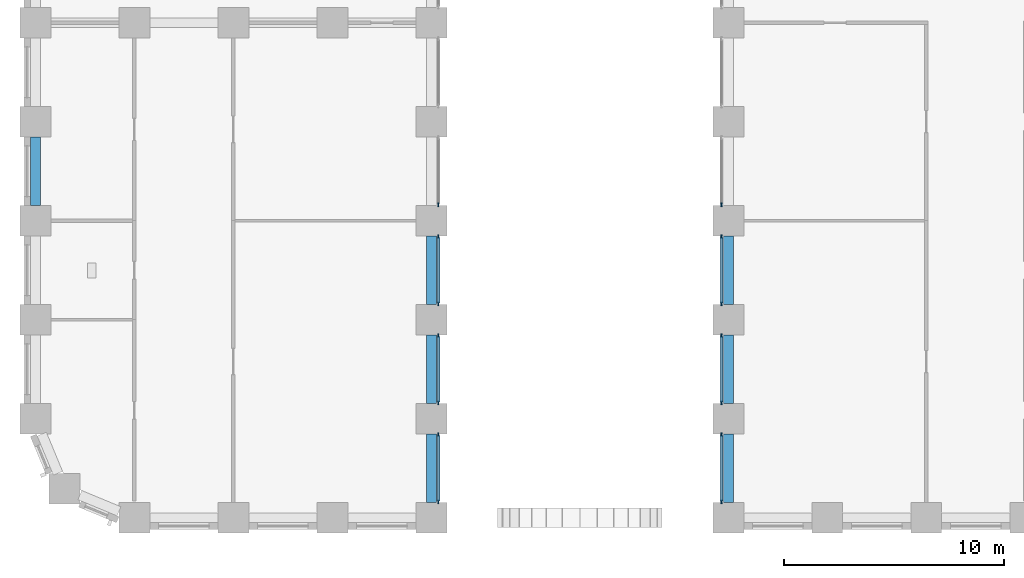
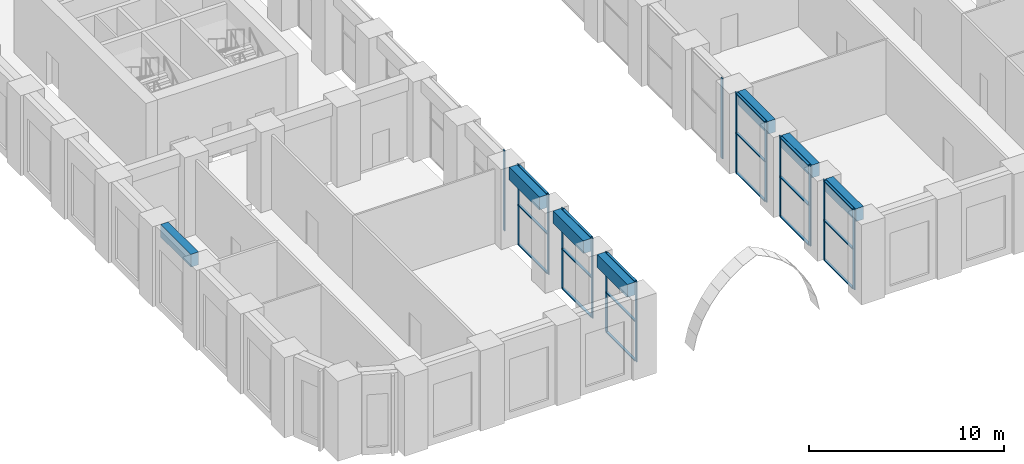
# One storey, part 2 of 24: 32 members, 7 beams, 8 elements without a shape of their own.
"""IFC4 building model written with IfcOpenShell, lengths in metres."""

from ifc_helpers import new_model, si_unit, direction, frame, origin, origin_2d, place, context, subcontext, project, spatial, rectangle, extrude, material, material_profile, profile_set, type_object, element, aggregate, save


model = new_model("IFC4")

# Units and contexts
model_context = context("Model", 3, precision=1e-05, world=origin(), true_north=direction((0.0, 1.0)))
body_context = subcontext(model_context, "Body", "Model", "MODEL_VIEW")
ifc_project = project(units=[si_unit("LENGTHUNIT", "METRE"), si_unit("AREAUNIT", "SQUARE_METRE"), si_unit("VOLUMEUNIT", "CUBIC_METRE"), si_unit("PLANEANGLEUNIT", "RADIAN"), si_unit("MASSUNIT", "GRAM", prefix="KILO")], contexts=[model_context])

# Site, building, storey
site_placement = place(None, origin())
site = spatial("IfcSite", under=ifc_project, at=site_placement, CompositionType="ELEMENT")
building_placement = place(site_placement, origin())
building = spatial("IfcBuilding", under=site, at=building_placement, Name="Girih Gate Residences", CompositionType="ELEMENT")
storey_placement = place(building_placement, frame((0.0, 0.0, 11.0)))
storey = spatial("IfcBuildingStorey", under=building, at=storey_placement, Name="L02", CompositionType="ELEMENT", Elevation=11.0)

# Curtain wall, members
ifc_material_1 = material(Name="Aluminium curtain wall frame", Category="aluminium")
curtain_wall_type = type_object("IfcCurtainWallType", Name="Curtain wall CW-2 podium amenity glazing", PredefinedType="NOTDEFINED", material=ifc_material_1)
curtain_wall_1_placement = place(storey_placement, origin())
curtain_wall_1 = element("IfcCurtainWall", 1, at=curtain_wall_1_placement, inside=storey, type_object=curtain_wall_type, Name="CW-2 Podium amenity glazing E0180_0000.0", PredefinedType="NOTDEFINED")
ifc_material_profile_1 = material_profile(ifc_material_1, rectangle(XDim=0.06005859375, YDim=0.179931640625, at=origin_2d()))
ifc_profile_set_1 = profile_set([ifc_material_profile_1], Name="Aluminium curtain wall frame")
member_type_1 = type_object("IfcMemberType", Name="Curtain wall mullion 60x180", PredefinedType="MULLION", material=ifc_profile_set_1)
member_1_placement = place(storey_placement, frame((18.31494140625, 0.72998046875, 0.0), z_axis=(0.0, 0.0, 1.0), x_axis=(-1.0, 0.0, 0.0)))
member_1 = element("IfcMember", 2, at=member_1_placement, type_object=member_type_1, Name="CW-2 mullion 1", PredefinedType="MULLION", context=body_context, shape_type="SweptSolid", body=[
    extrude(rectangle(XDim=0.06005859375, YDim=0.179931640625, at=origin_2d()), origin(), (0.0, 0.0, 1.0), 5.0),
])
member_2_placement = place(storey_placement, frame((18.31494140625, 3.77001953125, 0.0), z_axis=(0.0, 0.0, 1.0), x_axis=(-1.0, 0.0, 0.0)))
member_2 = element("IfcMember", 3, at=member_2_placement, type_object=member_type_1, Name="CW-2 mullion 2", PredefinedType="MULLION", context=body_context, shape_type="SweptSolid", body=[
    extrude(rectangle(XDim=0.06005859375, YDim=0.179931640625, at=origin_2d()), origin(), (0.0, 0.0, 1.0), 5.0),
])

curtain_wall_2_placement = place(storey_placement, origin())
curtain_wall_2 = element("IfcCurtainWall", 4, at=curtain_wall_2_placement, inside=storey, type_object=curtain_wall_type, Name="CW-2 Podium amenity glazing E0180_0000.1", PredefinedType="NOTDEFINED")
member_3_placement = place(storey_placement, frame((18.31494140625, 5.22998046875, 0.0), z_axis=(0.0, 0.0, 1.0), x_axis=(-1.0, 0.0, 0.0)))
member_3 = element("IfcMember", 5, at=member_3_placement, type_object=member_type_1, Name="CW-2 mullion 1", PredefinedType="MULLION", context=body_context, shape_type="SweptSolid", body=[
    extrude(rectangle(XDim=0.06005859375, YDim=0.179931640625, at=origin_2d()), origin(), (0.0, 0.0, 1.0), 5.0),
])
member_4_placement = place(storey_placement, frame((18.31494140625, 8.27001953125, 0.0), z_axis=(0.0, 0.0, 1.0), x_axis=(-1.0, 0.0, 0.0)))
member_4 = element("IfcMember", 6, at=member_4_placement, type_object=member_type_1, Name="CW-2 mullion 2", PredefinedType="MULLION", context=body_context, shape_type="SweptSolid", body=[
    extrude(rectangle(XDim=0.06005859375, YDim=0.179931640625, at=origin_2d()), origin(), (0.0, 0.0, 1.0), 5.0),
])

curtain_wall_3_placement = place(storey_placement, origin())
curtain_wall_3 = element("IfcCurtainWall", 7, at=curtain_wall_3_placement, inside=storey, type_object=curtain_wall_type, Name="CW-2 Podium amenity glazing E0180_0000.2", PredefinedType="NOTDEFINED")
member_5_placement = place(storey_placement, frame((18.31494140625, 9.72998046875, 0.0), z_axis=(0.0, 0.0, 1.0), x_axis=(-1.0, 0.0, 0.0)))
member_5 = element("IfcMember", 8, at=member_5_placement, type_object=member_type_1, Name="CW-2 mullion 1", PredefinedType="MULLION", context=body_context, shape_type="SweptSolid", body=[
    extrude(rectangle(XDim=0.06005859375, YDim=0.179931640625, at=origin_2d()), origin(), (0.0, 0.0, 1.0), 5.0),
])
member_6_placement = place(storey_placement, frame((18.31494140625, 12.77001953125, 0.0), z_axis=(0.0, 0.0, 1.0), x_axis=(-1.0, 0.0, 0.0)))
member_6 = element("IfcMember", 9, at=member_6_placement, type_object=member_type_1, Name="CW-2 mullion 2", PredefinedType="MULLION", context=body_context, shape_type="SweptSolid", body=[
    extrude(rectangle(XDim=0.06005859375, YDim=0.179931640625, at=origin_2d()), origin(), (0.0, 0.0, 1.0), 5.0),
])

# Curtain wall, member
curtain_wall_4_placement = place(storey_placement, origin())
curtain_wall_4 = element("IfcCurtainWall", 10, at=curtain_wall_4_placement, inside=storey, type_object=curtain_wall_type, Name="CW-2 Podium amenity glazing E0180_0000.3", PredefinedType="NOTDEFINED")
member_7_placement = place(storey_placement, frame((18.31494140625, 14.22998046875, 0.0), z_axis=(0.0, 0.0, 1.0), x_axis=(-1.0, 0.0, 0.0)))
member_7 = element("IfcMember", 11, at=member_7_placement, type_object=member_type_1, Name="CW-2 mullion 1", PredefinedType="MULLION", context=body_context, shape_type="SweptSolid", body=[
    extrude(rectangle(XDim=0.06005859375, YDim=0.179931640625, at=origin_2d()), origin(), (0.0, 0.0, 1.0), 5.0),
])
aggregate(curtain_wall_4, [member_7])

curtain_wall_5_placement = place(storey_placement, origin())
curtain_wall_5 = element("IfcCurtainWall", 12, at=curtain_wall_5_placement, inside=storey, type_object=curtain_wall_type, Name="CW-2 Podium amenity glazing W0315_0495.7", PredefinedType="NOTDEFINED")
member_8_placement = place(storey_placement, frame((31.18505859375, 14.22998046875, 0.0), z_axis=(0.0, 0.0, 1.0), x_axis=(1.0, 0.0, 0.0)))
member_8 = element("IfcMember", 13, at=member_8_placement, type_object=member_type_1, Name="CW-2 mullion 2", PredefinedType="MULLION", context=body_context, shape_type="SweptSolid", body=[
    extrude(rectangle(XDim=0.06005859375, YDim=0.179931640625, at=origin_2d()), origin(), (0.0, 0.0, 1.0), 5.0),
])
aggregate(curtain_wall_5, [member_8])

# Curtain wall, members
curtain_wall_6_placement = place(storey_placement, origin())
curtain_wall_6 = element("IfcCurtainWall", 14, at=curtain_wall_6_placement, inside=storey, type_object=curtain_wall_type, Name="CW-2 Podium amenity glazing W0315_0495.8", PredefinedType="NOTDEFINED")
member_9_placement = place(storey_placement, frame((31.18505859375, 12.77001953125, 0.0), z_axis=(0.0, 0.0, 1.0), x_axis=(1.0, 0.0, 0.0)))
member_9 = element("IfcMember", 15, at=member_9_placement, type_object=member_type_1, Name="CW-2 mullion 1", PredefinedType="MULLION", context=body_context, shape_type="SweptSolid", body=[
    extrude(rectangle(XDim=0.06005859375, YDim=0.179931640625, at=origin_2d()), origin(), (0.0, 0.0, 1.0), 5.0),
])
member_10_placement = place(storey_placement, frame((31.18505859375, 9.72998046875, 0.0), z_axis=(0.0, 0.0, 1.0), x_axis=(1.0, 0.0, 0.0)))
member_10 = element("IfcMember", 16, at=member_10_placement, type_object=member_type_1, Name="CW-2 mullion 2", PredefinedType="MULLION", context=body_context, shape_type="SweptSolid", body=[
    extrude(rectangle(XDim=0.06005859375, YDim=0.179931640625, at=origin_2d()), origin(), (0.0, 0.0, 1.0), 5.0),
])

curtain_wall_7_placement = place(storey_placement, origin())
curtain_wall_7 = element("IfcCurtainWall", 17, at=curtain_wall_7_placement, inside=storey, type_object=curtain_wall_type, Name="CW-2 Podium amenity glazing W0315_0495.9", PredefinedType="NOTDEFINED")
member_11_placement = place(storey_placement, frame((31.18505859375, 8.27001953125, 0.0), z_axis=(0.0, 0.0, 1.0), x_axis=(1.0, 0.0, 0.0)))
member_11 = element("IfcMember", 18, at=member_11_placement, type_object=member_type_1, Name="CW-2 mullion 1", PredefinedType="MULLION", context=body_context, shape_type="SweptSolid", body=[
    extrude(rectangle(XDim=0.06005859375, YDim=0.179931640625, at=origin_2d()), origin(), (0.0, 0.0, 1.0), 5.0),
])
member_12_placement = place(storey_placement, frame((31.18505859375, 5.22998046875, 0.0), z_axis=(0.0, 0.0, 1.0), x_axis=(1.0, 0.0, 0.0)))
member_12 = element("IfcMember", 19, at=member_12_placement, type_object=member_type_1, Name="CW-2 mullion 2", PredefinedType="MULLION", context=body_context, shape_type="SweptSolid", body=[
    extrude(rectangle(XDim=0.06005859375, YDim=0.179931640625, at=origin_2d()), origin(), (0.0, 0.0, 1.0), 5.0),
])

curtain_wall_8_placement = place(storey_placement, origin())
curtain_wall_8 = element("IfcCurtainWall", 20, at=curtain_wall_8_placement, inside=storey, type_object=curtain_wall_type, Name="CW-2 Podium amenity glazing W0315_0495.10", PredefinedType="NOTDEFINED")
member_13_placement = place(storey_placement, frame((31.18505859375, 3.77001953125, 0.0), z_axis=(0.0, 0.0, 1.0), x_axis=(1.0, 0.0, 0.0)))
member_13 = element("IfcMember", 21, at=member_13_placement, type_object=member_type_1, Name="CW-2 mullion 1", PredefinedType="MULLION", context=body_context, shape_type="SweptSolid", body=[
    extrude(rectangle(XDim=0.06005859375, YDim=0.179931640625, at=origin_2d()), origin(), (0.0, 0.0, 1.0), 5.0),
])
member_14_placement = place(storey_placement, frame((31.18505859375, 0.72998046875, 0.0), z_axis=(0.0, 0.0, 1.0), x_axis=(1.0, 0.0, 0.0)))
member_14 = element("IfcMember", 22, at=member_14_placement, type_object=member_type_1, Name="CW-2 mullion 2", PredefinedType="MULLION", context=body_context, shape_type="SweptSolid", body=[
    extrude(rectangle(XDim=0.06005859375, YDim=0.179931640625, at=origin_2d()), origin(), (0.0, 0.0, 1.0), 5.0),
])

# Member
ifc_material_profile_2 = material_profile(ifc_material_1, rectangle(XDim=0.139892578125, YDim=0.06005859375, at=origin_2d()))
ifc_profile_set_2 = profile_set([ifc_material_profile_2], Name="Aluminium curtain wall frame")
member_type_2 = type_object("IfcMemberType", Name="Curtain wall transom 60x140", PredefinedType="USERDEFINED", material=ifc_profile_set_2)
member_15_placement = place(storey_placement, frame((18.31494140625, 0.760009765625, 0.030029296875), z_axis=(0.0, 1.0, 0.0), x_axis=(-1.0, 0.0, 0.0)))
member_15 = element("IfcMember", 23, at=member_15_placement, type_object=member_type_2, Name="CW-2 transom 1.1", ObjectType="TRANSOM", PredefinedType="USERDEFINED", context=body_context, shape_type="SweptSolid", body=[
    extrude(rectangle(XDim=0.139892578125, YDim=0.06005859375, at=origin_2d()), origin(), (0.0, 0.0, 1.0), 2.97998046875),
])

member_16_placement = place(storey_placement, frame((18.31494140625, 0.760009765625, 2.5), z_axis=(0.0, 1.0, 0.0), x_axis=(-1.0, 0.0, 0.0)))
member_16 = element("IfcMember", 24, at=member_16_placement, type_object=member_type_2, Name="CW-2 transom 1.2", ObjectType="TRANSOM", PredefinedType="USERDEFINED", context=body_context, shape_type="SweptSolid", body=[
    extrude(rectangle(XDim=0.139892578125, YDim=0.06005859375, at=origin_2d()), origin(), (0.0, 0.0, 1.0), 2.97998046875),
])

member_17_placement = place(storey_placement, frame((18.31494140625, 0.760009765625, 4.969970703125), z_axis=(0.0, 1.0, 0.0), x_axis=(-1.0, 0.0, 0.0)))
member_17 = element("IfcMember", 25, at=member_17_placement, type_object=member_type_2, Name="CW-2 transom 1.3", ObjectType="TRANSOM", PredefinedType="USERDEFINED", context=body_context, shape_type="SweptSolid", body=[
    extrude(rectangle(XDim=0.139892578125, YDim=0.06005859375, at=origin_2d()), origin(), (0.0, 0.0, 1.0), 2.97998046875),
])

aggregate(curtain_wall_1, [member_1, member_2, member_15, member_16, member_17])

member_18_placement = place(storey_placement, frame((18.31494140625, 5.260009765625, 0.030029296875), z_axis=(0.0, 1.0, 0.0), x_axis=(-1.0, 0.0, 0.0)))
member_18 = element("IfcMember", 26, at=member_18_placement, type_object=member_type_2, Name="CW-2 transom 1.1", ObjectType="TRANSOM", PredefinedType="USERDEFINED", context=body_context, shape_type="SweptSolid", body=[
    extrude(rectangle(XDim=0.139892578125, YDim=0.06005859375, at=origin_2d()), origin(), (0.0, 0.0, 1.0), 2.97998046875),
])

member_19_placement = place(storey_placement, frame((18.31494140625, 5.260009765625, 2.5), z_axis=(0.0, 1.0, 0.0), x_axis=(-1.0, 0.0, 0.0)))
member_19 = element("IfcMember", 27, at=member_19_placement, type_object=member_type_2, Name="CW-2 transom 1.2", ObjectType="TRANSOM", PredefinedType="USERDEFINED", context=body_context, shape_type="SweptSolid", body=[
    extrude(rectangle(XDim=0.139892578125, YDim=0.06005859375, at=origin_2d()), origin(), (0.0, 0.0, 1.0), 2.97998046875),
])

member_20_placement = place(storey_placement, frame((18.31494140625, 5.260009765625, 4.969970703125), z_axis=(0.0, 1.0, 0.0), x_axis=(-1.0, 0.0, 0.0)))
member_20 = element("IfcMember", 28, at=member_20_placement, type_object=member_type_2, Name="CW-2 transom 1.3", ObjectType="TRANSOM", PredefinedType="USERDEFINED", context=body_context, shape_type="SweptSolid", body=[
    extrude(rectangle(XDim=0.139892578125, YDim=0.06005859375, at=origin_2d()), origin(), (0.0, 0.0, 1.0), 2.97998046875),
])

aggregate(curtain_wall_2, [member_3, member_4, member_18, member_19, member_20])

member_21_placement = place(storey_placement, frame((18.31494140625, 9.760009765625, 0.030029296875), z_axis=(0.0, 1.0, 0.0), x_axis=(-1.0, 0.0, 0.0)))
member_21 = element("IfcMember", 29, at=member_21_placement, type_object=member_type_2, Name="CW-2 transom 1.1", ObjectType="TRANSOM", PredefinedType="USERDEFINED", context=body_context, shape_type="SweptSolid", body=[
    extrude(rectangle(XDim=0.139892578125, YDim=0.06005859375, at=origin_2d()), origin(), (0.0, 0.0, 1.0), 2.97998046875),
])

member_22_placement = place(storey_placement, frame((18.31494140625, 9.760009765625, 2.5), z_axis=(0.0, 1.0, 0.0), x_axis=(-1.0, 0.0, 0.0)))
member_22 = element("IfcMember", 30, at=member_22_placement, type_object=member_type_2, Name="CW-2 transom 1.2", ObjectType="TRANSOM", PredefinedType="USERDEFINED", context=body_context, shape_type="SweptSolid", body=[
    extrude(rectangle(XDim=0.139892578125, YDim=0.06005859375, at=origin_2d()), origin(), (0.0, 0.0, 1.0), 2.97998046875),
])

member_23_placement = place(storey_placement, frame((18.31494140625, 9.760009765625, 4.969970703125), z_axis=(0.0, 1.0, 0.0), x_axis=(-1.0, 0.0, 0.0)))
member_23 = element("IfcMember", 31, at=member_23_placement, type_object=member_type_2, Name="CW-2 transom 1.3", ObjectType="TRANSOM", PredefinedType="USERDEFINED", context=body_context, shape_type="SweptSolid", body=[
    extrude(rectangle(XDim=0.139892578125, YDim=0.06005859375, at=origin_2d()), origin(), (0.0, 0.0, 1.0), 2.97998046875),
])

aggregate(curtain_wall_3, [member_5, member_6, member_21, member_22, member_23])

member_24_placement = place(storey_placement, frame((31.18505859375, 12.739990234375, 0.030029296875), z_axis=(0.0, -1.0, 0.0), x_axis=(1.0, 0.0, 0.0)))
member_24 = element("IfcMember", 32, at=member_24_placement, type_object=member_type_2, Name="CW-2 transom 1.1", ObjectType="TRANSOM", PredefinedType="USERDEFINED", context=body_context, shape_type="SweptSolid", body=[
    extrude(rectangle(XDim=0.139892578125, YDim=0.06005859375, at=origin_2d()), origin(), (0.0, 0.0, 1.0), 2.97998046875),
])

member_25_placement = place(storey_placement, frame((31.18505859375, 12.739990234375, 2.5), z_axis=(0.0, -1.0, 0.0), x_axis=(1.0, 0.0, 0.0)))
member_25 = element("IfcMember", 33, at=member_25_placement, type_object=member_type_2, Name="CW-2 transom 1.2", ObjectType="TRANSOM", PredefinedType="USERDEFINED", context=body_context, shape_type="SweptSolid", body=[
    extrude(rectangle(XDim=0.139892578125, YDim=0.06005859375, at=origin_2d()), origin(), (0.0, 0.0, 1.0), 2.97998046875),
])

member_26_placement = place(storey_placement, frame((31.18505859375, 12.739990234375, 4.969970703125), z_axis=(0.0, -1.0, 0.0), x_axis=(1.0, 0.0, 0.0)))
member_26 = element("IfcMember", 34, at=member_26_placement, type_object=member_type_2, Name="CW-2 transom 1.3", ObjectType="TRANSOM", PredefinedType="USERDEFINED", context=body_context, shape_type="SweptSolid", body=[
    extrude(rectangle(XDim=0.139892578125, YDim=0.06005859375, at=origin_2d()), origin(), (0.0, 0.0, 1.0), 2.97998046875),
])

aggregate(curtain_wall_6, [member_9, member_10, member_24, member_25, member_26])

member_27_placement = place(storey_placement, frame((31.18505859375, 8.239990234375, 0.030029296875), z_axis=(0.0, -1.0, 0.0), x_axis=(1.0, 0.0, 0.0)))
member_27 = element("IfcMember", 35, at=member_27_placement, type_object=member_type_2, Name="CW-2 transom 1.1", ObjectType="TRANSOM", PredefinedType="USERDEFINED", context=body_context, shape_type="SweptSolid", body=[
    extrude(rectangle(XDim=0.139892578125, YDim=0.06005859375, at=origin_2d()), origin(), (0.0, 0.0, 1.0), 2.97998046875),
])

member_28_placement = place(storey_placement, frame((31.18505859375, 8.239990234375, 2.5), z_axis=(0.0, -1.0, 0.0), x_axis=(1.0, 0.0, 0.0)))
member_28 = element("IfcMember", 36, at=member_28_placement, type_object=member_type_2, Name="CW-2 transom 1.2", ObjectType="TRANSOM", PredefinedType="USERDEFINED", context=body_context, shape_type="SweptSolid", body=[
    extrude(rectangle(XDim=0.139892578125, YDim=0.06005859375, at=origin_2d()), origin(), (0.0, 0.0, 1.0), 2.97998046875),
])

member_29_placement = place(storey_placement, frame((31.18505859375, 8.239990234375, 4.969970703125), z_axis=(0.0, -1.0, 0.0), x_axis=(1.0, 0.0, 0.0)))
member_29 = element("IfcMember", 37, at=member_29_placement, type_object=member_type_2, Name="CW-2 transom 1.3", ObjectType="TRANSOM", PredefinedType="USERDEFINED", context=body_context, shape_type="SweptSolid", body=[
    extrude(rectangle(XDim=0.139892578125, YDim=0.06005859375, at=origin_2d()), origin(), (0.0, 0.0, 1.0), 2.97998046875),
])

aggregate(curtain_wall_7, [member_11, member_12, member_27, member_28, member_29])

member_30_placement = place(storey_placement, frame((31.18505859375, 3.739990234375, 0.030029296875), z_axis=(0.0, -1.0, 0.0), x_axis=(1.0, 0.0, 0.0)))
member_30 = element("IfcMember", 38, at=member_30_placement, type_object=member_type_2, Name="CW-2 transom 1.1", ObjectType="TRANSOM", PredefinedType="USERDEFINED", context=body_context, shape_type="SweptSolid", body=[
    extrude(rectangle(XDim=0.139892578125, YDim=0.06005859375, at=origin_2d()), origin(), (0.0, 0.0, 1.0), 2.97998046875),
])

member_31_placement = place(storey_placement, frame((31.18505859375, 3.739990234375, 2.5), z_axis=(0.0, -1.0, 0.0), x_axis=(1.0, 0.0, 0.0)))
member_31 = element("IfcMember", 39, at=member_31_placement, type_object=member_type_2, Name="CW-2 transom 1.2", ObjectType="TRANSOM", PredefinedType="USERDEFINED", context=body_context, shape_type="SweptSolid", body=[
    extrude(rectangle(XDim=0.139892578125, YDim=0.06005859375, at=origin_2d()), origin(), (0.0, 0.0, 1.0), 2.97998046875),
])

member_32_placement = place(storey_placement, frame((31.18505859375, 3.739990234375, 4.969970703125), z_axis=(0.0, -1.0, 0.0), x_axis=(1.0, 0.0, 0.0)))
member_32 = element("IfcMember", 40, at=member_32_placement, type_object=member_type_2, Name="CW-2 transom 1.3", ObjectType="TRANSOM", PredefinedType="USERDEFINED", context=body_context, shape_type="SweptSolid", body=[
    extrude(rectangle(XDim=0.139892578125, YDim=0.06005859375, at=origin_2d()), origin(), (0.0, 0.0, 1.0), 2.97998046875),
])

aggregate(curtain_wall_8, [member_13, member_14, member_30, member_31, member_32])

# Beams
ifc_material_2 = material(Name="Concrete C60/75", Category="concrete")
ifc_material_profile_3 = material_profile(ifc_material_2, rectangle(XDim=0.449951171875, YDim=0.800048828125, at=origin_2d()))
ifc_profile_set_3 = profile_set([ifc_material_profile_3], Name="Concrete C60/75")
beam_type = type_object("IfcBeamType", Name="Spandrel girder RC 450x800 Concrete C60/75", PredefinedType="BEAM", material=ifc_profile_set_3)
for number, where, z_axis, x_axis, name in (
    (41, (0.0, 17.300048828125, 4.60009765625), (0.0, -1.0, 0.0), (1.0, 0.0, 0.0), "Spandrel girder SP-P1E-P1D L02"),
    (42, (18.0, 0.699951171875, 4.60009765625), (0.0, 1.0, 0.0), (-1.0, 0.0, 0.0), "Spandrel girder SP-P5A-P5B L02"),
    (43, (18.0, 5.199951171875, 4.60009765625), (0.0, 1.0, 0.0), (-1.0, 0.0, 0.0), "Spandrel girder SP-P5B-P5C L02"),
    (44, (18.0, 9.699951171875, 4.60009765625), (0.0, 1.0, 0.0), (-1.0, 0.0, 0.0), "Spandrel girder SP-P5C-P5D L02"),
    (45, (31.5, 12.800048828125, 4.60009765625), (0.0, -1.0, 0.0), (1.0, 0.0, 0.0), "Spandrel girder SP-P8D-P8C L02"),
    (46, (31.5, 8.300048828125, 4.60009765625), (0.0, -1.0, 0.0), (1.0, 0.0, 0.0), "Spandrel girder SP-P8C-P8B L02"),
    (47, (31.5, 3.800048828125, 4.60009765625), (0.0, -1.0, 0.0), (1.0, 0.0, 0.0), "Spandrel girder SP-P8B-P8A L02"),
):
    element("IfcBeam", number, at=place(storey_placement, frame(where, z_axis=z_axis, x_axis=x_axis)), inside=storey, type_object=beam_type, Name=name, PredefinedType="BEAM", context=body_context, shape_type="SweptSolid", body=[
        extrude(rectangle(XDim=0.449951171875, YDim=0.800048828125, at=origin_2d()), origin(), (0.0, 0.0, 1.0), 3.10009765625),
    ])

save(model, "model.ifc")
